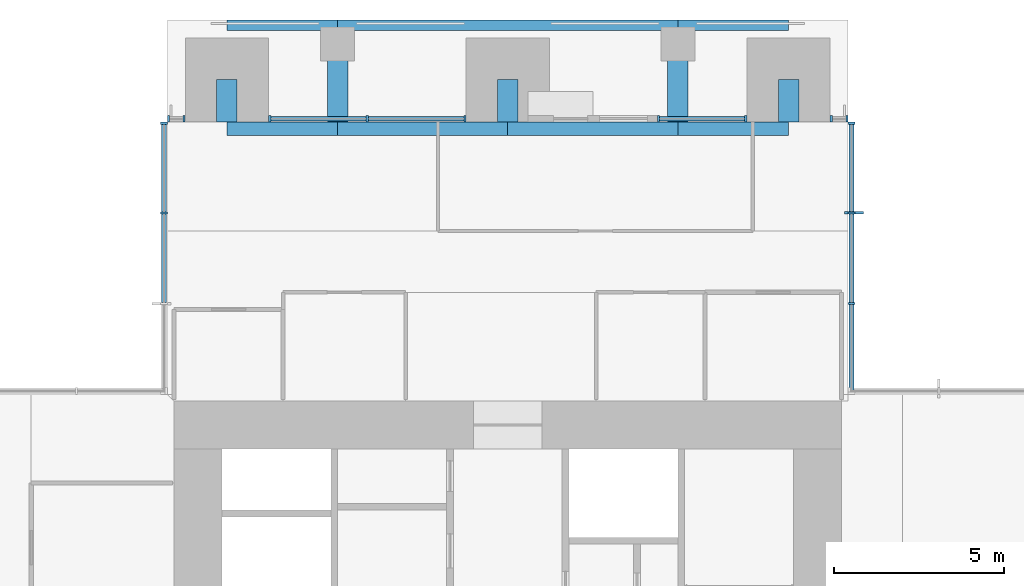
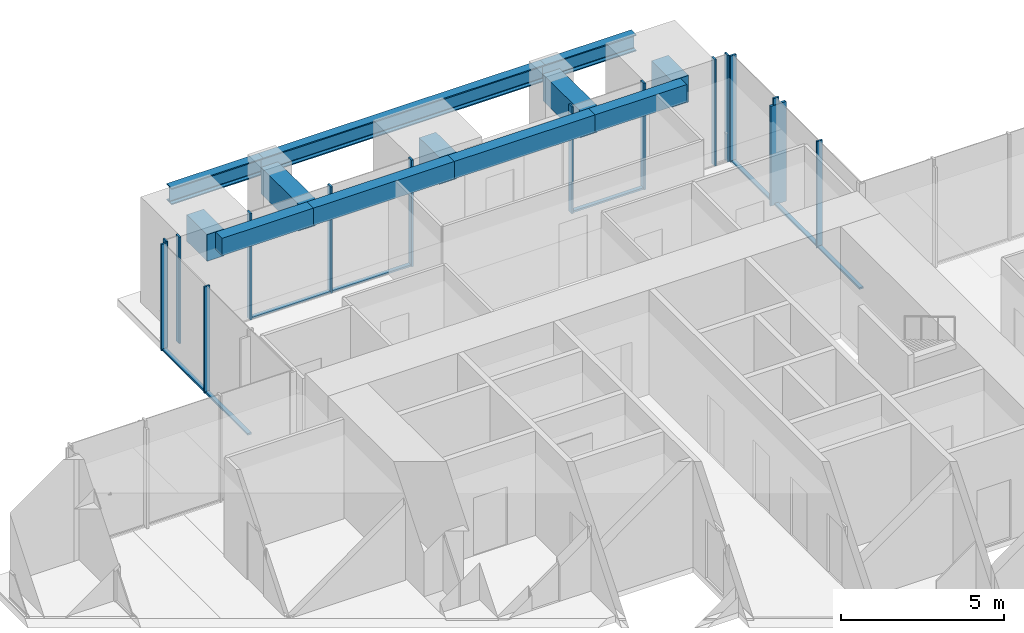
# One storey, part 5 of 17: 23 members, 12 beams, 6 elements without a shape of their own.
"""IFC4 building model written with IfcOpenShell, lengths in metres."""

from ifc_helpers import new_model, si_unit, direction, frame, origin, origin_2d, place, context, subcontext, project, spatial, rectangle, i_section, extrude, material, material_profile, profile_set, type_object, element, aggregate, save


model = new_model("IFC4")

# Units and contexts
model_context = context("Model", 3, precision=1e-05, world=origin(), true_north=direction((0.0, 1.0)))
body_context = subcontext(model_context, "Body", "Model", "MODEL_VIEW")
ifc_project = project(units=[si_unit("LENGTHUNIT", "METRE"), si_unit("AREAUNIT", "SQUARE_METRE"), si_unit("VOLUMEUNIT", "CUBIC_METRE"), si_unit("PLANEANGLEUNIT", "RADIAN"), si_unit("MASSUNIT", "GRAM", prefix="KILO")], contexts=[model_context])

# Site, building, storey
site_placement = place(None, origin())
site = spatial("IfcSite", under=ifc_project, at=site_placement, CompositionType="ELEMENT")
building_placement = place(site_placement, origin())
building = spatial("IfcBuilding", under=site, at=building_placement, Name="Svetlomir Tower", CompositionType="ELEMENT")
storey_placement = place(building_placement, frame((0.0, 0.0, 178.5)))
storey = spatial("IfcBuildingStorey", under=building, at=storey_placement, Name="L42", CompositionType="ELEMENT", Elevation=178.5)

# Curtain wall, members
ifc_material_1 = material(Name="Bronze anodised aluminium curtain wall", Category="aluminium")
curtain_wall_type = type_object("IfcCurtainWallType", Name="CURTAIN WALL CW1 TOWER OFFICE", PredefinedType="NOTDEFINED", material=ifc_material_1)
curtain_wall_1_placement = place(storey_placement, origin())
curtain_wall_1 = element("IfcCurtainWall", 1, at=curtain_wall_1_placement, inside=storey, type_object=curtain_wall_type, Name="Curtain wall CW1 L42", PredefinedType="NOTDEFINED")
ifc_material_2 = material(Name="Bronze anodised aluminium", Category="aluminium")
ifc_material_profile_1 = material_profile(ifc_material_2, rectangle(XDim=0.080078125, YDim=0.550048828125, at=origin_2d()), Name="FIN 80x550")
ifc_profile_set_1 = profile_set([ifc_material_profile_1], Name="Bronze anodised aluminium 6063-T6")
member_type_1 = type_object("IfcMemberType", Name="BRONZE FIN 80x550", PredefinedType="USERDEFINED", material=ifc_profile_set_1)
member_1_placement = place(storey_placement, frame((31.175048828125, 36.333251953125, 0.0), z_axis=(0.0, 0.0, 1.0), x_axis=(0.0, 1.0, 0.0)))
member_1 = element("IfcMember", 2, at=member_1_placement, type_object=member_type_1, Name="Bronze fin L42", ObjectType="FIN", PredefinedType="USERDEFINED", context=body_context, shape_type="SweptSolid", body=[
    extrude(rectangle(XDim=0.080078125, YDim=0.550048828125, at=origin_2d()), origin(), (0.0, 0.0, 1.0), 3.75),
])
ifc_material_3 = material(Name="Bronze anodised aluminium", Category="aluminium")
ifc_material_profile_2 = material_profile(ifc_material_3, rectangle(XDim=0.06494140625, YDim=0.199951171875, at=origin_2d()), Name="AL 65x200")
ifc_profile_set_2 = profile_set([ifc_material_profile_2], Name="Bronze anodised aluminium 6063-T6")
member_type_2 = type_object("IfcMemberType", Name="CW1 MULLION 65x200", PredefinedType="MULLION", material=ifc_profile_set_2)
member_2_placement = place(storey_placement, frame((31.10009765625, 33.666748046875, 0.0), z_axis=(0.0, 0.0, 1.0), x_axis=(0.0, 1.0, 0.0)))
member_2 = element("IfcMember", 3, at=member_2_placement, type_object=member_type_2, Name="CW1 mullion 2", PredefinedType="MULLION", context=body_context, shape_type="SweptSolid", body=[
    extrude(rectangle(XDim=0.06494140625, YDim=0.199951171875, at=origin_2d()), origin(), (0.0, 0.0, 1.0), 4.0),
])
member_3_placement = place(storey_placement, frame((31.10009765625, 36.333251953125, 0.0), z_axis=(0.0, 0.0, 1.0), x_axis=(0.0, 1.0, 0.0)))
member_3 = element("IfcMember", 4, at=member_3_placement, type_object=member_type_2, Name="CW1 mullion 3", PredefinedType="MULLION", context=body_context, shape_type="SweptSolid", body=[
    extrude(rectangle(XDim=0.06494140625, YDim=0.199951171875, at=origin_2d()), origin(), (0.0, 0.0, 1.0), 4.0),
])
member_4_placement = place(storey_placement, frame((31.10009765625, 38.967529296875, 0.0), z_axis=(0.0, 0.0, 1.0), x_axis=(0.0, 1.0, 0.0)))
member_4 = element("IfcMember", 5, at=member_4_placement, type_object=member_type_2, Name="CW1 mullion 4", PredefinedType="MULLION", context=body_context, shape_type="SweptSolid", body=[
    extrude(rectangle(XDim=0.06494140625, YDim=0.199951171875, at=origin_2d()), origin(), (0.0, 0.0, 1.0), 4.0),
])

curtain_wall_2_placement = place(storey_placement, origin())
curtain_wall_2 = element("IfcCurtainWall", 6, at=curtain_wall_2_placement, inside=storey, type_object=curtain_wall_type, Name="Curtain wall CW1 L42", PredefinedType="NOTDEFINED")
member_5_placement = place(storey_placement, frame((30.967529296875, 39.10009765625, 0.0), z_axis=(0.0, 0.0, 1.0), x_axis=(-1.0, 0.0, 0.0)))
member_5 = element("IfcMember", 7, at=member_5_placement, type_object=member_type_2, Name="CW1 mullion 1", PredefinedType="MULLION", context=body_context, shape_type="SweptSolid", body=[
    extrude(rectangle(XDim=0.06494140625, YDim=0.199951171875, at=origin_2d()), origin(), (0.0, 0.0, 1.0), 4.0),
])
member_6_placement = place(storey_placement, frame((30.507568359375, 39.10009765625, 0.0), z_axis=(0.0, 0.0, 1.0), x_axis=(-1.0, 0.0, 0.0)))
member_6 = element("IfcMember", 8, at=member_6_placement, type_object=member_type_2, Name="CW1 mullion 2", PredefinedType="MULLION", context=body_context, shape_type="SweptSolid", body=[
    extrude(rectangle(XDim=0.06494140625, YDim=0.199951171875, at=origin_2d()), origin(), (0.0, 0.0, 1.0), 4.0),
])
aggregate(curtain_wall_2, [member_5, member_6])

curtain_wall_3_placement = place(storey_placement, origin())
curtain_wall_3 = element("IfcCurtainWall", 9, at=curtain_wall_3_placement, inside=storey, type_object=curtain_wall_type, Name="Curtain wall CW1 L42", PredefinedType="NOTDEFINED")
member_7_placement = place(storey_placement, frame((27.992431640625, 39.10009765625, 0.0), z_axis=(0.0, 0.0, 1.0), x_axis=(-1.0, 0.0, 0.0)))
member_7 = element("IfcMember", 10, at=member_7_placement, type_object=member_type_2, Name="CW1 mullion 1", PredefinedType="MULLION", context=body_context, shape_type="SweptSolid", body=[
    extrude(rectangle(XDim=0.06494140625, YDim=0.199951171875, at=origin_2d()), origin(), (0.0, 0.0, 1.0), 4.0),
])
member_8_placement = place(storey_placement, frame((25.4326171875, 39.10009765625, 0.0), z_axis=(0.0, 0.0, 1.0), x_axis=(-1.0, 0.0, 0.0)))
member_8 = element("IfcMember", 11, at=member_8_placement, type_object=member_type_2, Name="CW1 mullion 2", PredefinedType="MULLION", context=body_context, shape_type="SweptSolid", body=[
    extrude(rectangle(XDim=0.06494140625, YDim=0.199951171875, at=origin_2d()), origin(), (0.0, 0.0, 1.0), 4.0),
])

curtain_wall_4_placement = place(storey_placement, origin())
curtain_wall_4 = element("IfcCurtainWall", 12, at=curtain_wall_4_placement, inside=storey, type_object=curtain_wall_type, Name="Curtain wall CW1 L42", PredefinedType="NOTDEFINED")
member_9_placement = place(storey_placement, frame((19.742431640625, 39.10009765625, 0.0), z_axis=(0.0, 0.0, 1.0), x_axis=(-1.0, 0.0, 0.0)))
member_9 = element("IfcMember", 13, at=member_9_placement, type_object=member_type_2, Name="CW1 mullion 1", PredefinedType="MULLION", context=body_context, shape_type="SweptSolid", body=[
    extrude(rectangle(XDim=0.06494140625, YDim=0.199951171875, at=origin_2d()), origin(), (0.0, 0.0, 1.0), 4.0),
])
member_10_placement = place(storey_placement, frame((16.875, 39.10009765625, 0.0), z_axis=(0.0, 0.0, 1.0), x_axis=(-1.0, 0.0, 0.0)))
member_10 = element("IfcMember", 14, at=member_10_placement, type_object=member_type_2, Name="CW1 mullion 2", PredefinedType="MULLION", context=body_context, shape_type="SweptSolid", body=[
    extrude(rectangle(XDim=0.06494140625, YDim=0.199951171875, at=origin_2d()), origin(), (0.0, 0.0, 1.0), 4.0),
])
member_11_placement = place(storey_placement, frame((14.007568359375, 39.10009765625, 0.0), z_axis=(0.0, 0.0, 1.0), x_axis=(-1.0, 0.0, 0.0)))
member_11 = element("IfcMember", 15, at=member_11_placement, type_object=member_type_2, Name="CW1 mullion 3", PredefinedType="MULLION", context=body_context, shape_type="SweptSolid", body=[
    extrude(rectangle(XDim=0.06494140625, YDim=0.199951171875, at=origin_2d()), origin(), (0.0, 0.0, 1.0), 4.0),
])

curtain_wall_5_placement = place(storey_placement, origin())
curtain_wall_5 = element("IfcCurtainWall", 16, at=curtain_wall_5_placement, inside=storey, type_object=curtain_wall_type, Name="Curtain wall CW1 L42", PredefinedType="NOTDEFINED")
member_12_placement = place(storey_placement, frame((11.492431640625, 39.10009765625, 0.0), z_axis=(0.0, 0.0, 1.0), x_axis=(-1.0, 0.0, 0.0)))
member_12 = element("IfcMember", 17, at=member_12_placement, type_object=member_type_2, Name="CW1 mullion 1", PredefinedType="MULLION", context=body_context, shape_type="SweptSolid", body=[
    extrude(rectangle(XDim=0.06494140625, YDim=0.199951171875, at=origin_2d()), origin(), (0.0, 0.0, 1.0), 4.0),
])
member_13_placement = place(storey_placement, frame((11.032470703125, 39.10009765625, 0.0), z_axis=(0.0, 0.0, 1.0), x_axis=(-1.0, 0.0, 0.0)))
member_13 = element("IfcMember", 18, at=member_13_placement, type_object=member_type_2, Name="CW1 mullion 2", PredefinedType="MULLION", context=body_context, shape_type="SweptSolid", body=[
    extrude(rectangle(XDim=0.06494140625, YDim=0.199951171875, at=origin_2d()), origin(), (0.0, 0.0, 1.0), 4.0),
])
aggregate(curtain_wall_5, [member_12, member_13])

curtain_wall_6_placement = place(storey_placement, origin())
curtain_wall_6 = element("IfcCurtainWall", 19, at=curtain_wall_6_placement, inside=storey, type_object=curtain_wall_type, Name="Curtain wall CW1 L42", PredefinedType="NOTDEFINED")
member_14_placement = place(storey_placement, frame((10.89990234375, 38.967529296875, 0.0), z_axis=(0.0, 0.0, 1.0), x_axis=(0.0, -1.0, 0.0)))
member_14 = element("IfcMember", 20, at=member_14_placement, type_object=member_type_2, Name="CW1 mullion 1", PredefinedType="MULLION", context=body_context, shape_type="SweptSolid", body=[
    extrude(rectangle(XDim=0.06494140625, YDim=0.199951171875, at=origin_2d()), origin(), (0.0, 0.0, 1.0), 4.0),
])
member_15_placement = place(storey_placement, frame((10.89990234375, 36.333251953125, 0.0), z_axis=(0.0, 0.0, 1.0), x_axis=(0.0, -1.0, 0.0)))
member_15 = element("IfcMember", 21, at=member_15_placement, type_object=member_type_2, Name="CW1 mullion 2", PredefinedType="MULLION", context=body_context, shape_type="SweptSolid", body=[
    extrude(rectangle(XDim=0.06494140625, YDim=0.199951171875, at=origin_2d()), origin(), (0.0, 0.0, 1.0), 4.0),
])

# Member
ifc_material_4 = material(Name="Bronze anodised aluminium", Category="aluminium")
ifc_material_profile_3 = material_profile(ifc_material_4, rectangle(XDim=0.139892578125, YDim=0.06494140625, at=origin_2d()), Name="AL 140x65")
ifc_profile_set_3 = profile_set([ifc_material_profile_3], Name="Bronze anodised aluminium 6063-T6")
member_type_3 = type_object("IfcMemberType", Name="CW1 TRANSOM 65x140", PredefinedType="USERDEFINED", material=ifc_profile_set_3)
member_16_placement = place(storey_placement, frame((31.10009765625, 31.06494140625, 0.032470703125), z_axis=(0.0, 1.0, 0.0), x_axis=(-1.0, 0.0, 0.0)))
member_16 = element("IfcMember", 22, at=member_16_placement, type_object=member_type_3, Name="CW1 transom 1.1", ObjectType="TRANSOM", PredefinedType="USERDEFINED", context=body_context, shape_type="SweptSolid", body=[
    extrude(rectangle(XDim=0.139892578125, YDim=0.06494140625, at=origin_2d()), origin(), (0.0, 0.0, 1.0), 2.5693359375),
])

member_17_placement = place(storey_placement, frame((31.10009765625, 33.69921875, 0.032470703125), z_axis=(0.0, 1.0, 0.0), x_axis=(-1.0, 0.0, 0.0)))
member_17 = element("IfcMember", 23, at=member_17_placement, type_object=member_type_3, Name="CW1 transom 2.1", ObjectType="TRANSOM", PredefinedType="USERDEFINED", context=body_context, shape_type="SweptSolid", body=[
    extrude(rectangle(XDim=0.139892578125, YDim=0.06494140625, at=origin_2d()), origin(), (0.0, 0.0, 1.0), 2.6015625),
])

member_18_placement = place(storey_placement, frame((31.10009765625, 36.36572265625, 0.032470703125), z_axis=(0.0, 1.0, 0.0), x_axis=(-1.0, 0.0, 0.0)))
member_18 = element("IfcMember", 24, at=member_18_placement, type_object=member_type_3, Name="CW1 transom 3.1", ObjectType="TRANSOM", PredefinedType="USERDEFINED", context=body_context, shape_type="SweptSolid", body=[
    extrude(rectangle(XDim=0.139892578125, YDim=0.06494140625, at=origin_2d()), origin(), (0.0, 0.0, 1.0), 2.5693359375),
])

aggregate(curtain_wall_1, [member_2, member_3, member_4, member_16, member_17, member_18, member_1])

member_19_placement = place(storey_placement, frame((27.9599609375, 39.10009765625, 0.032470703125), z_axis=(-1.0, 0.0, 0.0), x_axis=(0.0, -1.0, 0.0)))
member_19 = element("IfcMember", 25, at=member_19_placement, type_object=member_type_3, Name="CW1 transom 1.1", ObjectType="TRANSOM", PredefinedType="USERDEFINED", context=body_context, shape_type="SweptSolid", body=[
    extrude(rectangle(XDim=0.139892578125, YDim=0.06494140625, at=origin_2d()), origin(), (0.0, 0.0, 1.0), 2.494873046875),
])

aggregate(curtain_wall_3, [member_7, member_8, member_19])

member_20_placement = place(storey_placement, frame((19.7099609375, 39.10009765625, 0.032470703125), z_axis=(-1.0, 0.0, 0.0), x_axis=(0.0, -1.0, 0.0)))
member_20 = element("IfcMember", 26, at=member_20_placement, type_object=member_type_3, Name="CW1 transom 1.1", ObjectType="TRANSOM", PredefinedType="USERDEFINED", context=body_context, shape_type="SweptSolid", body=[
    extrude(rectangle(XDim=0.139892578125, YDim=0.06494140625, at=origin_2d()), origin(), (0.0, 0.0, 1.0), 2.802490234375),
])

member_21_placement = place(storey_placement, frame((16.842529296875, 39.10009765625, 0.032470703125), z_axis=(-1.0, 0.0, 0.0), x_axis=(0.0, -1.0, 0.0)))
member_21 = element("IfcMember", 27, at=member_21_placement, type_object=member_type_3, Name="CW1 transom 2.1", ObjectType="TRANSOM", PredefinedType="USERDEFINED", context=body_context, shape_type="SweptSolid", body=[
    extrude(rectangle(XDim=0.139892578125, YDim=0.06494140625, at=origin_2d()), origin(), (0.0, 0.0, 1.0), 2.802490234375),
])

aggregate(curtain_wall_4, [member_9, member_10, member_11, member_20, member_21])

member_22_placement = place(storey_placement, frame((10.89990234375, 38.93505859375, 0.032470703125), z_axis=(0.0, -1.0, 0.0), x_axis=(1.0, 0.0, 0.0)))
member_22 = element("IfcMember", 28, at=member_22_placement, type_object=member_type_3, Name="CW1 transom 1.1", ObjectType="TRANSOM", PredefinedType="USERDEFINED", context=body_context, shape_type="SweptSolid", body=[
    extrude(rectangle(XDim=0.139892578125, YDim=0.06494140625, at=origin_2d()), origin(), (0.0, 0.0, 1.0), 2.5693359375),
])

member_23_placement = place(storey_placement, frame((10.89990234375, 36.30078125, 0.032470703125), z_axis=(0.0, -1.0, 0.0), x_axis=(1.0, 0.0, 0.0)))
member_23 = element("IfcMember", 29, at=member_23_placement, type_object=member_type_3, Name="CW1 transom 2.1", ObjectType="TRANSOM", PredefinedType="USERDEFINED", context=body_context, shape_type="SweptSolid", body=[
    extrude(rectangle(XDim=0.139892578125, YDim=0.06494140625, at=origin_2d()), origin(), (0.0, 0.0, 1.0), 2.6015625),
])

aggregate(curtain_wall_6, [member_14, member_15, member_22, member_23])

# Beams
ifc_material_5 = material(Name="Steel S355", Category="steel")
ifc_material_profile_4 = material_profile(ifc_material_5, i_section(OverallWidth=0.304931640625, OverallDepth=0.6201171875, WebThickness=0.02099609375, FlangeThickness=0.0400390625, FilletRadius=0.027099609375, at=origin_2d()), Name="HEM 600")
ifc_profile_set_4 = profile_set([ifc_material_profile_4], Name="Steel S355")
beam_type_1 = type_object("IfcBeamType", Name="EDGE BEAM HEM 600", PredefinedType="SPANDREL", material=ifc_profile_set_4)
beam_1_placement = place(storey_placement, frame((12.75, 41.847412109375, 3.43994140625), z_axis=(1.0, 0.0, 0.0), x_axis=(0.0, 1.0, 0.0)))
element("IfcBeam", 30, at=beam_1_placement, inside=storey, type_object=beam_type_1, Name="Edge beam 11/42 to 16/42 under L43", PredefinedType="SPANDREL", context=body_context, shape_type="SweptSolid", body=[
    extrude(i_section(OverallWidth=0.304931640625, OverallDepth=0.6201171875, WebThickness=0.02099609375, FlangeThickness=0.0400390625, FilletRadius=0.027099609375, at=origin_2d()), origin(), (0.0, 0.0, 1.0), 3.25),
])
beam_2_placement = place(storey_placement, frame((16.0, 41.847412109375, 3.43994140625), z_axis=(1.0, 0.0, 0.0), x_axis=(0.0, 1.0, 0.0)))
element("IfcBeam", 31, at=beam_2_placement, inside=storey, type_object=beam_type_1, Name="Edge beam 16/42 to 26/42 under L43", PredefinedType="SPANDREL", context=body_context, shape_type="SweptSolid", body=[
    extrude(i_section(OverallWidth=0.304931640625, OverallDepth=0.6201171875, WebThickness=0.02099609375, FlangeThickness=0.0400390625, FilletRadius=0.027099609375, at=origin_2d()), origin(), (0.0, 0.0, 1.0), 10.0),
])
beam_3_placement = place(storey_placement, frame((26.0, 41.847412109375, 3.43994140625), z_axis=(1.0, 0.0, 0.0), x_axis=(0.0, 1.0, 0.0)))
element("IfcBeam", 32, at=beam_3_placement, inside=storey, type_object=beam_type_1, Name="Edge beam 26/42 to 31/42 under L43", PredefinedType="SPANDREL", context=body_context, shape_type="SweptSolid", body=[
    extrude(i_section(OverallWidth=0.304931640625, OverallDepth=0.6201171875, WebThickness=0.02099609375, FlangeThickness=0.0400390625, FilletRadius=0.027099609375, at=origin_2d()), origin(), (0.0, 0.0, 1.0), 3.25),
])
ifc_material_6 = material(Name="Concrete C60/75", Category="concrete")
ifc_material_profile_5 = material_profile(ifc_material_6, rectangle(XDim=0.39990234375, YDim=0.64990234375, at=origin_2d()), Name="RC 400x650")
ifc_profile_set_5 = profile_set([ifc_material_profile_5], Name="Concrete C60/75")
beam_type_2 = type_object("IfcBeamType", Name="FACADE EDGE BEAM RC 400x650", PredefinedType="BEAM", material=ifc_profile_set_5)
beam_4_placement = place(storey_placement, frame((12.75, 38.800048828125, 3.425048828125), z_axis=(1.0, 0.0, 0.0), x_axis=(0.0, 1.0, 0.0)))
element("IfcBeam", 33, at=beam_4_placement, inside=storey, type_object=beam_type_2, Name="Facade edge beam N 11 to 16 under L43", PredefinedType="BEAM", context=body_context, shape_type="SweptSolid", body=[
    extrude(rectangle(XDim=0.39990234375, YDim=0.64990234375, at=origin_2d()), origin(), (0.0, 0.0, 1.0), 3.25),
])
for number, where, z_axis, x_axis, name in (
    (34, (16.0, 38.800048828125, 3.425048828125), (1.0, 0.0, 0.0), (0.0, 1.0, 0.0), "Facade edge beam N 16 to 21 under L43"),
    (35, (21.0, 38.800048828125, 3.425048828125), (1.0, 0.0, 0.0), (0.0, 1.0, 0.0), "Facade edge beam N 21 to 26 under L43"),
):
    element("IfcBeam", number, at=place(storey_placement, frame(where, z_axis=z_axis, x_axis=x_axis)), inside=storey, type_object=beam_type_2, Name=name, PredefinedType="BEAM", context=body_context, shape_type="SweptSolid", body=[
        extrude(rectangle(XDim=0.39990234375, YDim=0.64990234375, at=origin_2d()), origin(), (0.0, 0.0, 1.0), 5.0),
    ])
beam_5_placement = place(storey_placement, frame((26.0, 38.800048828125, 3.425048828125), z_axis=(1.0, 0.0, 0.0), x_axis=(0.0, 1.0, 0.0)))
element("IfcBeam", 36, at=beam_5_placement, inside=storey, type_object=beam_type_2, Name="Facade edge beam N 26 to 31 under L43", PredefinedType="BEAM", context=body_context, shape_type="SweptSolid", body=[
    extrude(rectangle(XDim=0.39990234375, YDim=0.64990234375, at=origin_2d()), origin(), (0.0, 0.0, 1.0), 3.25),
])
ifc_material_7 = material(Name="Concrete C60/75", Category="concrete")
ifc_material_profile_6 = material_profile(ifc_material_7, rectangle(XDim=0.60009765625, YDim=1.0, at=origin_2d()), Name="RC 600x1000")
ifc_profile_set_6 = profile_set([ifc_material_profile_6], Name="Concrete C60/75")
beam_type_3 = type_object("IfcBeamType", Name="LOGGIA LINK BEAM RC 600x1000", PredefinedType="BEAM", material=ifc_profile_set_6)
beam_6_placement = place(storey_placement, frame((12.75, 40.25, 3.25), z_axis=(0.0, -1.0, 0.0), x_axis=(1.0, 0.0, 0.0)))
element("IfcBeam", 37, at=beam_6_placement, inside=storey, type_object=beam_type_3, Name="Loggia link beam N 11 under L43", PredefinedType="BEAM", context=body_context, shape_type="SweptSolid", body=[
    extrude(rectangle(XDim=0.60009765625, YDim=1.0, at=origin_2d()), origin(), (0.0, 0.0, 1.0), 1.25),
])
beam_7_placement = place(storey_placement, frame((16.0, 41.300048828125, 3.25), z_axis=(0.0, -1.0, 0.0), x_axis=(1.0, 0.0, 0.0)))
element("IfcBeam", 38, at=beam_7_placement, inside=storey, type_object=beam_type_3, Name="Loggia link beam N 16 under L43", PredefinedType="BEAM", context=body_context, shape_type="SweptSolid", body=[
    extrude(rectangle(XDim=0.60009765625, YDim=1.0, at=origin_2d()), origin(), (0.0, 0.0, 1.0), 2.300048828125),
])
beam_8_placement = place(storey_placement, frame((21.0, 40.25, 3.25), z_axis=(0.0, -1.0, 0.0), x_axis=(1.0, 0.0, 0.0)))
element("IfcBeam", 39, at=beam_8_placement, inside=storey, type_object=beam_type_3, Name="Loggia link beam N 21 under L43", PredefinedType="BEAM", context=body_context, shape_type="SweptSolid", body=[
    extrude(rectangle(XDim=0.60009765625, YDim=1.0, at=origin_2d()), origin(), (0.0, 0.0, 1.0), 1.25),
])
beam_9_placement = place(storey_placement, frame((26.0, 41.300048828125, 3.25), z_axis=(0.0, -1.0, 0.0), x_axis=(1.0, 0.0, 0.0)))
element("IfcBeam", 40, at=beam_9_placement, inside=storey, type_object=beam_type_3, Name="Loggia link beam N 26 under L43", PredefinedType="BEAM", context=body_context, shape_type="SweptSolid", body=[
    extrude(rectangle(XDim=0.60009765625, YDim=1.0, at=origin_2d()), origin(), (0.0, 0.0, 1.0), 2.300048828125),
])
beam_10_placement = place(storey_placement, frame((29.25, 40.25, 3.25), z_axis=(0.0, -1.0, 0.0), x_axis=(1.0, 0.0, 0.0)))
element("IfcBeam", 41, at=beam_10_placement, inside=storey, type_object=beam_type_3, Name="Loggia link beam N 31 under L43", PredefinedType="BEAM", context=body_context, shape_type="SweptSolid", body=[
    extrude(rectangle(XDim=0.60009765625, YDim=1.0, at=origin_2d()), origin(), (0.0, 0.0, 1.0), 1.25),
])

save(model, "model.ifc")
